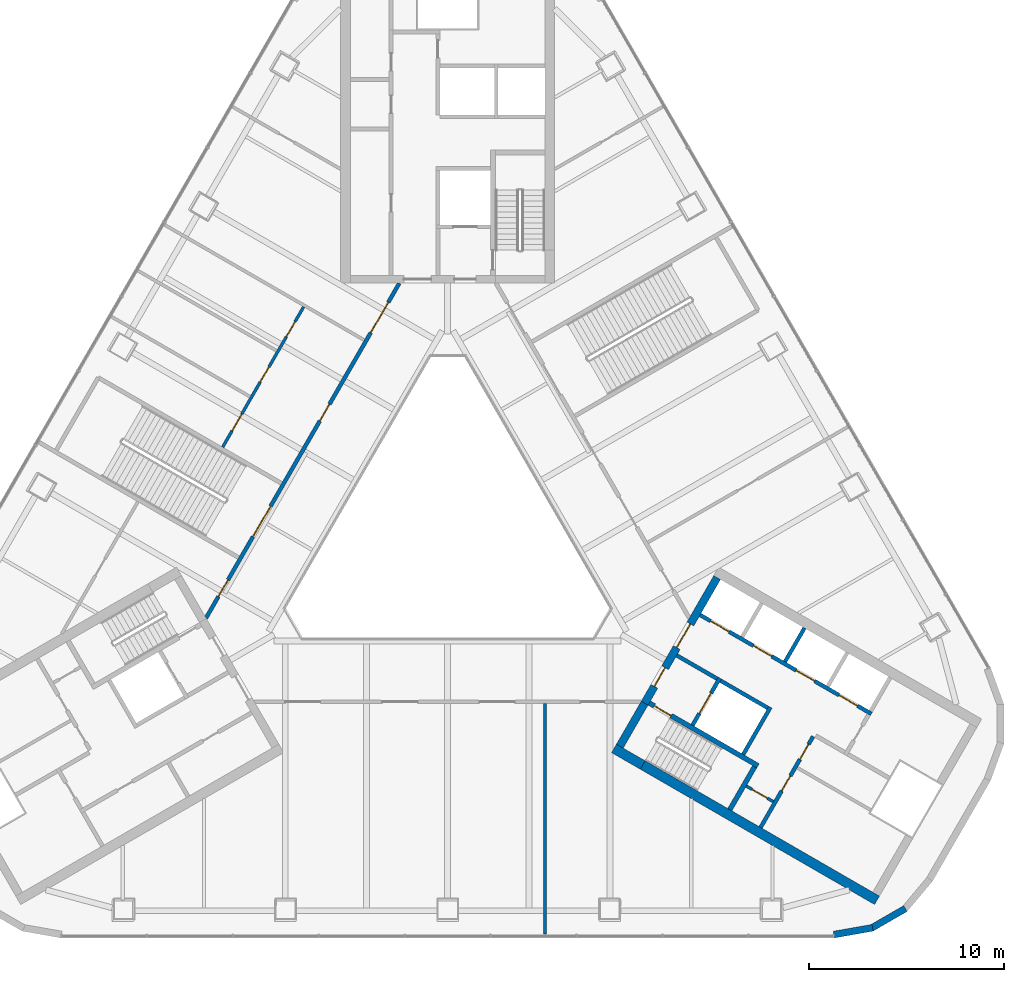
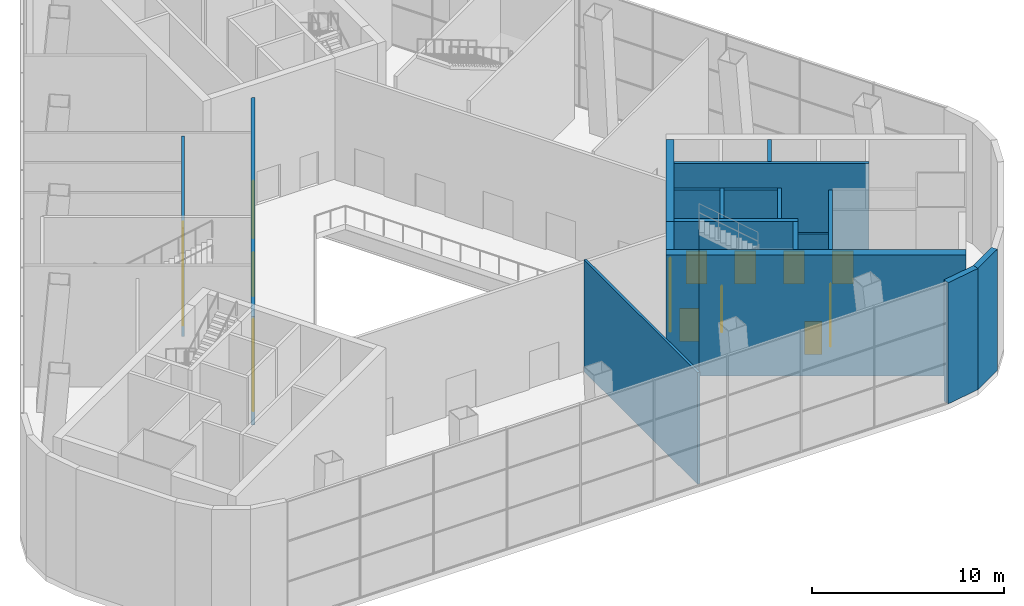
# One storey, part 10 of 16: 20 walls, 18 doors, 18 openings.
"""IFC4 building model written with IfcOpenShell, lengths in metres."""

from ifc_helpers import new_model, si_unit, direction, frame, frame_2d, origin, place, context, subcontext, project, spatial, rectangle, extrude, material, layer, layer_set, type_object, element, fill, save


model = new_model("IFC4")

# Units and contexts
model_context = context("Model", 3, precision=1e-05, world=origin(), true_north=direction((0.0, 1.0)))
body_context = subcontext(model_context, "Body", "Model", "MODEL_VIEW")
ifc_project = project(units=[si_unit("LENGTHUNIT", "METRE"), si_unit("AREAUNIT", "SQUARE_METRE"), si_unit("VOLUMEUNIT", "CUBIC_METRE"), si_unit("PLANEANGLEUNIT", "RADIAN"), si_unit("MASSUNIT", "GRAM", prefix="KILO")], contexts=[model_context])

# Site, building, storey
site_placement = place(None, origin())
site = spatial("IfcSite", under=ifc_project, at=site_placement, CompositionType="ELEMENT")
building_placement = place(site_placement, origin())
building = spatial("IfcBuilding", under=site, at=building_placement, Name="Apuvela Tower Hotel", CompositionType="ELEMENT")
storey_placement = place(building_placement, frame((0.0, 0.0, 15.5)))
storey = spatial("IfcBuildingStorey", under=building, at=storey_placement, Name="L02", CompositionType="ELEMENT", Elevation=15.5)

# Wall
ifc_material_1 = material(Name="Concrete C50/60", Category="concrete")
ifc_layer_1 = layer(ifc_material_1, 0.39990234375)
ifc_layer_set_1 = layer_set([ifc_layer_1], Name="COR-WALL-CORE-400")
wall_type_1 = type_object("IfcWallType", Name="COR-WALL-CORE-400", PredefinedType="SHEAR", material=ifc_layer_set_1)
wall_1_placement = place(storey_placement, frame((8.844970703125, -10.880126953125, 0.0), z_axis=(0.0, 0.0, 1.0), x_axis=(0.499990435942, 0.866030925526, 0.0)))
element("IfcWall", 1, at=wall_1_placement, inside=storey, type_object=wall_type_1, Name="Core wall SE", PredefinedType="SHEAR", context=body_context, shape_type="SweptSolid", body=[
    extrude(rectangle(XDim=2.5498046875, YDim=0.39990234375, at=frame_2d((1.27490234375, 0.0))), origin(), (0.0, 0.0, 1.0), 7.699951171875),
])

# Wall, openings, doors
wall_2_placement = place(storey_placement, frame((10.119873046875, -8.671875, 0.0), z_axis=(0.0, 0.0, 1.0), x_axis=(0.500008956979, 0.866020232408, 0.0)))
wall_2 = element("IfcWall", 2, at=wall_2_placement, inside=storey, type_object=wall_type_1, Name="Core wall SE", PredefinedType="SHEAR", context=body_context, shape_type="SweptSolid", body=[
    extrude(rectangle(XDim=7.449951171875, YDim=0.39990234375, at=frame_2d((3.72509765625, 0.0))), origin(), (0.0, 0.0, 1.0), 7.699951171875),
])
opening_1_placement = place(wall_2_placement, frame((1.0, 0.0, 0.0)))
opening_1 = element("IfcOpeningElement", 3, at=opening_1_placement, cuts=wall_2, Name="Opening E-FD", PredefinedType="OPENING", context=body_context, shape_type="SweptSolid", body=[
    extrude(rectangle(XDim=1.10009765625, YDim=2.10009765625, at=frame_2d((0.550048828125, 1.050048828125))), frame((0.0, 0.2099609375, 0.0), z_axis=(0.0, -1.0, 0.0), x_axis=(1.0, 0.0, 0.0)), (0.0, 0.0, 1.0), 0.419921875),
])
opening_2_placement = place(wall_2_placement, frame((3.300048828125, 0.0, 0.0)))
opening_2 = element("IfcOpeningElement", 4, at=opening_2_placement, cuts=wall_2, Name="Opening E-GD", PredefinedType="OPENING", context=body_context, shape_type="SweptSolid", body=[
    extrude(rectangle(XDim=1.39990234375, YDim=2.10009765625, at=frame_2d((0.699951171875, 1.050048828125))), frame((0.0, 0.2099609375, 0.0), z_axis=(0.0, -1.0, 0.0), x_axis=(1.0, 0.0, 0.0)), (0.0, 0.0, 1.0), 0.419921875),
])
ifc_material_2 = material(Name="Steel fire door, powder coated", Category="steel")
door_type_1 = type_object("IfcDoorType", Name="COR-FD-1100", OperationType="NOTDEFINED", PredefinedType="DOOR", material=ifc_material_2)
door_1_placement = place(opening_1_placement, frame((1.10009765625, 0.0, 0.0), z_axis=(0.0, 0.0, 1.0), x_axis=(-1.0, 0.0, 0.0)))
door_1 = element("IfcDoor", 5, at=door_1_placement, inside=storey, type_object=door_type_1, Name="Firefighting lobby door E-FD", OperationType="SINGLE_SWING_LEFT", OverallHeight=2.10009765625, OverallWidth=1.10009765625, PredefinedType="DOOR", context=body_context, shape_type="SweptSolid", body=[
    extrude(rectangle(XDim=1.10009765625, YDim=2.10009765625, at=frame_2d((0.550048828125, 1.050048828125))), frame((0.0, 0.02490234375, 0.0), z_axis=(0.0, -1.0, 0.0), x_axis=(1.0, 0.0, 0.0)), (0.0, 0.0, 1.0), 0.050048828125),
])
fill(opening_1, door_1)
ifc_material_3 = material(Name="Glazed steel fire door", Category="steel")
door_type_2 = type_object("IfcDoorType", Name="COR-GD-1400", OperationType="DOUBLE_DOOR_SINGLE_SWING", PredefinedType="DOOR", material=ifc_material_3)
door_2_placement = place(opening_2_placement, frame((1.39990234375, 0.0, 0.0), z_axis=(0.0, 0.0, 1.0), x_axis=(-1.0, 0.0, 0.0)))
door_2 = element("IfcDoor", 6, at=door_2_placement, inside=storey, type_object=door_type_2, Name="Lift lobby door E-GD", OperationType="DOUBLE_DOOR_SINGLE_SWING", OverallHeight=2.10009765625, OverallWidth=1.39990234375, PredefinedType="DOOR", context=body_context, shape_type="SweptSolid", body=[
    extrude(rectangle(XDim=1.39990234375, YDim=2.10009765625, at=frame_2d((0.699951171875, 1.050048828125))), frame((0.0, 0.02490234375, 0.0), z_axis=(0.0, -1.0, 0.0), x_axis=(1.0, 0.0, 0.0)), (0.0, 0.0, 1.0), 0.050048828125),
])
fill(opening_2, door_2)

# Walls
ifc_layer_2 = layer(ifc_material_1, 0.5)
ifc_layer_set_2 = layer_set([ifc_layer_2], Name="COR-WALL-CORE-500")
wall_type_2 = type_object("IfcWallType", Name="COR-WALL-CORE-500", PredefinedType="SHEAR", material=ifc_layer_set_2)
wall_3_placement = place(storey_placement, frame((8.546630859375, -10.99658203125, 0.0), z_axis=(0.0, 0.0, 1.0), x_axis=(0.866033076574, -0.499986710104, 0.0)))
element("IfcWall", 7, at=wall_3_placement, inside=storey, type_object=wall_type_2, Name="Core wall SE", PredefinedType="SHEAR", context=body_context, shape_type="SweptSolid", body=[
    extrude(rectangle(XDim=1.7060546875, YDim=0.5, at=frame_2d((0.85302734375, 0.0))), origin(), (0.0, 0.0, 1.0), 7.699951171875),
])
wall_4_placement = place(storey_placement, frame((10.024169921875, -11.849609375, 0.0), z_axis=(0.0, 0.0, 1.0), x_axis=(0.86602318214, -0.500003847982, 0.0)))
element("IfcWall", 8, at=wall_4_placement, inside=storey, type_object=wall_type_2, Name="Core wall SE", PredefinedType="SHEAR", context=body_context, shape_type="SweptSolid", body=[
    extrude(rectangle(XDim=13.89404296875, YDim=0.5, at=frame_2d((6.947021484375, 0.0))), origin(), (0.0, 0.0, 1.0), 7.699951171875),
])

# Wall, opening, door
ifc_material_4 = material(Name="Blockwork 150 mm plastered", Category="masonry")
ifc_layer_3 = layer(ifc_material_4, 0.14990234375)
ifc_layer_set_3 = layer_set([ifc_layer_3], Name="COR-WALL-PART-150")
wall_type_3 = type_object("IfcWallType", Name="COR-WALL-PART-150", PredefinedType="PARTITIONING", material=ifc_layer_set_3)
wall_5_placement = place(storey_placement, frame((15.341552734375, -12.927734375, 0.0), z_axis=(0.0, 0.0, 1.0), x_axis=(0.865989903783, -0.500061482766, 0.0)))
wall_5 = element("IfcWall", 9, at=wall_5_placement, inside=storey, type_object=wall_type_3, Name="Partition SE", PredefinedType="PARTITIONING", context=body_context, shape_type="SweptSolid", body=[
    extrude(rectangle(XDim=1.599853515625, YDim=0.14990234375, at=frame_2d((0.7998046875, 0.0))), origin(), (0.0, 0.0, 1.0), 7.699951171875),
])
opening_3_placement = place(wall_5_placement, frame((0.35009765625, 0.0, 0.0)))
opening_3 = element("IfcOpeningElement", 10, at=opening_3_placement, cuts=wall_5, Name="Opening E-RD", PredefinedType="OPENING", context=body_context, shape_type="SweptSolid", body=[
    extrude(rectangle(XDim=0.89990234375, YDim=2.10009765625, at=frame_2d((0.449951171875, 1.050048828125))), frame((0.0, 0.0849609375, 0.0), z_axis=(0.0, -1.0, 0.0), x_axis=(1.0, 0.0, 0.0)), (0.0, 0.0, 1.0), 0.169921875),
])
ifc_material_5 = material(Name="Steel access door, powder coated", Category="steel")
door_type_3 = type_object("IfcDoorType", Name="COR-RD-900", OperationType="NOTDEFINED", PredefinedType="DOOR", material=ifc_material_5)
door_3_placement = place(opening_3_placement, frame((0.89990234375, 0.0, 0.0), z_axis=(0.0, 0.0, 1.0), x_axis=(-1.0, 0.0, 0.0)))
door_3 = element("IfcDoor", 11, at=door_3_placement, inside=storey, type_object=door_type_3, Name="Riser door E-RD", OperationType="SINGLE_SWING_LEFT", OverallHeight=2.10009765625, OverallWidth=0.89990234375, PredefinedType="DOOR", context=body_context, shape_type="SweptSolid", body=[
    extrude(rectangle(XDim=0.89990234375, YDim=2.10009765625, at=frame_2d((0.449951171875, 1.050048828125))), frame((0.0, 0.02490234375, 0.0), z_axis=(0.0, -1.0, 0.0), x_axis=(1.0, 0.0, 0.0)), (0.0, 0.0, 1.0), 0.050048828125),
])
fill(opening_3, door_3)

# Wall, openings, doors
ifc_material_6 = material(Name="Blockwork 200 mm plastered", Category="masonry")
ifc_layer_4 = layer(ifc_material_6, 0.199951171875)
ifc_layer_set_4 = layer_set([ifc_layer_4], Name="COR-WALL-PART-200")
wall_type_4 = type_object("IfcWallType", Name="COR-WALL-PART-200", PredefinedType="PARTITIONING", material=ifc_layer_set_4)
wall_6_placement = place(storey_placement, frame((16.076171875, -15.05517578125, 0.0), z_axis=(0.0, 0.0, 1.0), x_axis=(0.499995103361, 0.866028230842, 0.0)))
wall_6 = element("IfcWall", 12, at=wall_6_placement, inside=storey, type_object=wall_type_4, Name="Partition SE", PredefinedType="PARTITIONING", context=body_context, shape_type="SweptSolid", body=[
    extrude(rectangle(XDim=5.39990234375, YDim=0.199951171875, at=frame_2d((2.699951171875, 0.0))), origin(), (0.0, 0.0, 1.0), 7.699951171875),
])
opening_4_placement = place(wall_6_placement, frame((2.16259765625, 0.0, 0.0)))
opening_4 = element("IfcOpeningElement", 13, at=opening_4_placement, cuts=wall_6, Name="Opening E-RS1", PredefinedType="OPENING", context=body_context, shape_type="SweptSolid", body=[
    extrude(rectangle(XDim=0.89990234375, YDim=2.10009765625, at=frame_2d((0.449951171875, 1.050048828125))), frame((0.0, 0.10986328125, 0.0), z_axis=(0.0, -1.0, 0.0), x_axis=(1.0, 0.0, 0.0)), (0.0, 0.0, 1.0), 0.219970703125),
])
opening_5_placement = place(wall_6_placement, frame((4.03759765625, 0.0, 0.0)))
opening_5 = element("IfcOpeningElement", 14, at=opening_5_placement, cuts=wall_6, Name="Opening E-RS2", PredefinedType="OPENING", context=body_context, shape_type="SweptSolid", body=[
    extrude(rectangle(XDim=0.89990234375, YDim=2.10009765625, at=frame_2d((0.449951171875, 1.050048828125))), frame((0.0, 0.10986328125, 0.0), z_axis=(0.0, -1.0, 0.0), x_axis=(1.0, 0.0, 0.0)), (0.0, 0.0, 1.0), 0.219970703125),
])
door_type_4 = type_object("IfcDoorType", Name="COR-DR-900", OperationType="NOTDEFINED", PredefinedType="DOOR", material=ifc_material_2)
door_4_placement = place(opening_4_placement, frame((0.89990234375, 0.0, 0.0), z_axis=(0.0, 0.0, 1.0), x_axis=(-1.0, 0.0, 0.0)))
door_4 = element("IfcDoor", 15, at=door_4_placement, inside=storey, type_object=door_type_4, Name="Store door E-RS1", OperationType="SINGLE_SWING_LEFT", OverallHeight=2.10009765625, OverallWidth=0.89990234375, PredefinedType="DOOR", context=body_context, shape_type="SweptSolid", body=[
    extrude(rectangle(XDim=0.89990234375, YDim=2.10009765625, at=frame_2d((0.449951171875, 1.050048828125))), frame((0.0, 0.02490234375, 0.0), z_axis=(0.0, -1.0, 0.0), x_axis=(1.0, 0.0, 0.0)), (0.0, 0.0, 1.0), 0.050048828125),
])
fill(opening_4, door_4)
door_5_placement = place(opening_5_placement, frame((0.89990234375, 0.0, 0.0), z_axis=(0.0, 0.0, 1.0), x_axis=(-1.0, 0.0, 0.0)))
door_5 = element("IfcDoor", 16, at=door_5_placement, inside=storey, type_object=door_type_4, Name="Store door E-RS2", OperationType="SINGLE_SWING_LEFT", OverallHeight=2.10009765625, OverallWidth=0.89990234375, PredefinedType="DOOR", context=body_context, shape_type="SweptSolid", body=[
    extrude(rectangle(XDim=0.89990234375, YDim=2.10009765625, at=frame_2d((0.449951171875, 1.050048828125))), frame((0.0, 0.02490234375, 0.0), z_axis=(0.0, -1.0, 0.0), x_axis=(1.0, 0.0, 0.0)), (0.0, 0.0, 1.0), 0.050048828125),
])
fill(opening_5, door_5)

# Wall
ifc_layer_5 = layer(ifc_material_1, 0.199951171875)
ifc_layer_set_5 = layer_set([ifc_layer_5], Name="COR-WALL-SHAFT-200")
wall_type_5 = type_object("IfcWallType", Name="COR-WALL-SHAFT-200", PredefinedType="SHEAR", material=ifc_layer_set_5)
wall_7_placement = place(storey_placement, frame((15.181396484375, -11.305419921875, 0.0), z_axis=(0.0, 0.0, 1.0), x_axis=(0.49994636267, 0.866056369097, 0.0)))
element("IfcWall", 17, at=wall_7_placement, inside=storey, type_object=wall_type_5, Name="Shaft wall SE", PredefinedType="SHEAR", context=body_context, shape_type="SweptSolid", body=[
    extrude(rectangle(XDim=2.800048828125, YDim=0.199951171875, at=frame_2d((1.39990234375, 0.0))), origin(), (0.0, 0.0, 1.0), 7.699951171875),
])

# Wall, opening, door
wall_8_placement = place(storey_placement, frame((12.583251953125, -9.805419921875, 0.0), z_axis=(0.0, 0.0, 1.0), x_axis=(0.49994636267, 0.866056369097, 0.0)))
wall_8 = element("IfcWall", 18, at=wall_8_placement, inside=storey, type_object=wall_type_5, Name="Shaft wall SE", PredefinedType="SHEAR", context=body_context, shape_type="SweptSolid", body=[
    extrude(rectangle(XDim=2.800048828125, YDim=0.199951171875, at=frame_2d((1.39990234375, 0.0))), origin(), (0.0, 0.0, 1.0), 7.699951171875),
])
opening_6_placement = place(wall_8_placement, frame((0.699951171875, 0.0, 0.0)))
opening_6 = element("IfcOpeningElement", 19, at=opening_6_placement, cuts=wall_8, Name="Opening E-LD-FS3", PredefinedType="OPENING", context=body_context, shape_type="SweptSolid", body=[
    extrude(rectangle(XDim=1.199951171875, YDim=2.10009765625, at=frame_2d((0.60009765625, 1.050048828125))), frame((0.0, 0.10986328125, 0.0), z_axis=(0.0, -1.0, 0.0), x_axis=(1.0, 0.0, 0.0)), (0.0, 0.0, 1.0), 0.219970703125),
])
ifc_material_7 = material(Name="Stainless steel lift landing door", Category="steel")
door_type_5 = type_object("IfcDoorType", Name="COR-LD-1200", OperationType="DOUBLE_DOOR_SLIDING", PredefinedType="DOOR", material=ifc_material_7)
door_6_placement = place(opening_6_placement, origin())
door_6 = element("IfcDoor", 20, at=door_6_placement, inside=storey, type_object=door_type_5, Name="Lift landing door E-LD-FS3", OperationType="DOUBLE_DOOR_SLIDING", OverallHeight=2.10009765625, OverallWidth=1.199951171875, PredefinedType="DOOR", context=body_context, shape_type="SweptSolid", body=[
    extrude(rectangle(XDim=1.199951171875, YDim=2.10009765625, at=frame_2d((0.60009765625, 1.050048828125))), frame((0.0, 0.02490234375, 0.0), z_axis=(0.0, -1.0, 0.0), x_axis=(1.0, 0.0, 0.0)), (0.0, 0.0, 1.0), 0.050048828125),
])
fill(opening_6, door_6)

# Walls
wall_9_placement = place(storey_placement, frame((11.76806640625, -6.217041015625, 0.0), z_axis=(0.0, 0.0, 1.0), x_axis=(0.866050077142, -0.499957262057, 0.0)))
element("IfcWall", 21, at=wall_9_placement, inside=storey, type_object=wall_type_5, Name="Shaft wall SE", PredefinedType="SHEAR", context=body_context, shape_type="SweptSolid", body=[
    extrude(rectangle(XDim=2.400146484375, YDim=0.199951171875, at=frame_2d((1.2001953125, 0.0))), origin(), (0.0, 0.0, 1.0), 7.699951171875),
])
wall_10_placement = place(storey_placement, frame((14.019775390625, -7.51708984375, 0.0), z_axis=(0.0, 0.0, 1.0), x_axis=(0.866034573852, -0.49998411664, 0.0)))
element("IfcWall", 22, at=wall_10_placement, inside=storey, type_object=wall_type_5, Name="Shaft wall SE", PredefinedType="SHEAR", context=body_context, shape_type="SweptSolid", body=[
    extrude(rectangle(XDim=2.7998046875, YDim=0.199951171875, at=frame_2d((1.39990234375, 0.0))), origin(), (0.0, 0.0, 1.0), 7.699951171875),
])

# Wall, openings, doors
wall_11_placement = place(storey_placement, frame((12.968017578125, -4.138427734375, 0.0), z_axis=(0.0, 0.0, 1.0), x_axis=(0.866028328073, -0.49999493495, 0.0)))
wall_11 = element("IfcWall", 23, at=wall_11_placement, inside=storey, type_object=wall_type_5, Name="Shaft wall SE", PredefinedType="SHEAR", context=body_context, shape_type="SweptSolid", body=[
    extrude(rectangle(XDim=10.16015625, YDim=0.199951171875, at=frame_2d((5.080078125, 0.0))), origin(), (0.0, 0.0, 1.0), 7.699951171875),
])
opening_7_placement = place(wall_11_placement, frame((0.6201171875, 0.0, 0.0)))
opening_7 = element("IfcOpeningElement", 24, at=opening_7_placement, cuts=wall_11, Name="Opening E-LD-LR1", PredefinedType="OPENING", context=body_context, shape_type="SweptSolid", body=[
    extrude(rectangle(XDim=1.10009765625, YDim=2.10009765625, at=frame_2d((0.550048828125, 1.050048828125))), frame((0.0, 0.10986328125, 0.0), z_axis=(0.0, -1.0, 0.0), x_axis=(1.0, 0.0, 0.0)), (0.0, 0.0, 1.0), 0.219970703125),
])
opening_8_placement = place(wall_11_placement, frame((3.159912109375, 0.0, 0.0)))
opening_8 = element("IfcOpeningElement", 25, at=opening_8_placement, cuts=wall_11, Name="Opening E-LD-LR2", PredefinedType="OPENING", context=body_context, shape_type="SweptSolid", body=[
    extrude(rectangle(XDim=1.10009765625, YDim=2.10009765625, at=frame_2d((0.550048828125, 1.050048828125))), frame((0.0, 0.10986328125, 0.0), z_axis=(0.0, -1.0, 0.0), x_axis=(1.0, 0.0, 0.0)), (0.0, 0.0, 1.0), 0.219970703125),
])
opening_9_placement = place(wall_11_placement, frame((5.699951171875, 0.0, 0.0)))
opening_9 = element("IfcOpeningElement", 26, at=opening_9_placement, cuts=wall_11, Name="Opening E-LD-LR3", PredefinedType="OPENING", context=body_context, shape_type="SweptSolid", body=[
    extrude(rectangle(XDim=1.10009765625, YDim=2.10009765625, at=frame_2d((0.550048828125, 1.050048828125))), frame((0.0, 0.10986328125, 0.0), z_axis=(0.0, -1.0, 0.0), x_axis=(1.0, 0.0, 0.0)), (0.0, 0.0, 1.0), 0.219970703125),
])
opening_10_placement = place(wall_11_placement, frame((8.239990234375, 0.0, 0.0)))
opening_10 = element("IfcOpeningElement", 27, at=opening_10_placement, cuts=wall_11, Name="Opening E-LD-LR4", PredefinedType="OPENING", context=body_context, shape_type="SweptSolid", body=[
    extrude(rectangle(XDim=1.10009765625, YDim=2.10009765625, at=frame_2d((0.550048828125, 1.050048828125))), frame((0.0, 0.10986328125, 0.0), z_axis=(0.0, -1.0, 0.0), x_axis=(1.0, 0.0, 0.0)), (0.0, 0.0, 1.0), 0.219970703125),
])
door_type_6 = type_object("IfcDoorType", Name="COR-LD-1100", OperationType="DOUBLE_DOOR_SLIDING", PredefinedType="DOOR", material=ifc_material_7)
door_7_placement = place(opening_7_placement, origin())
door_7 = element("IfcDoor", 28, at=door_7_placement, inside=storey, type_object=door_type_6, Name="Lift landing door E-LD-LR1", OperationType="DOUBLE_DOOR_SLIDING", OverallHeight=2.10009765625, OverallWidth=1.10009765625, PredefinedType="DOOR", context=body_context, shape_type="SweptSolid", body=[
    extrude(rectangle(XDim=1.10009765625, YDim=2.10009765625, at=frame_2d((0.550048828125, 1.050048828125))), frame((0.0, 0.02490234375, 0.0), z_axis=(0.0, -1.0, 0.0), x_axis=(1.0, 0.0, 0.0)), (0.0, 0.0, 1.0), 0.050048828125),
])
fill(opening_7, door_7)
door_8_placement = place(opening_8_placement, origin())
door_8 = element("IfcDoor", 29, at=door_8_placement, inside=storey, type_object=door_type_6, Name="Lift landing door E-LD-LR2", OperationType="DOUBLE_DOOR_SLIDING", OverallHeight=2.10009765625, OverallWidth=1.10009765625, PredefinedType="DOOR", context=body_context, shape_type="SweptSolid", body=[
    extrude(rectangle(XDim=1.10009765625, YDim=2.10009765625, at=frame_2d((0.550048828125, 1.050048828125))), frame((0.0, 0.02490234375, 0.0), z_axis=(0.0, -1.0, 0.0), x_axis=(1.0, 0.0, 0.0)), (0.0, 0.0, 1.0), 0.050048828125),
])
fill(opening_8, door_8)
door_9_placement = place(opening_9_placement, origin())
door_9 = element("IfcDoor", 30, at=door_9_placement, inside=storey, type_object=door_type_6, Name="Lift landing door E-LD-LR3", OperationType="DOUBLE_DOOR_SLIDING", OverallHeight=2.10009765625, OverallWidth=1.10009765625, PredefinedType="DOOR", context=body_context, shape_type="SweptSolid", body=[
    extrude(rectangle(XDim=1.10009765625, YDim=2.10009765625, at=frame_2d((0.550048828125, 1.050048828125))), frame((0.0, 0.02490234375, 0.0), z_axis=(0.0, -1.0, 0.0), x_axis=(1.0, 0.0, 0.0)), (0.0, 0.0, 1.0), 0.050048828125),
])
fill(opening_9, door_9)
door_10_placement = place(opening_10_placement, origin())
door_10 = element("IfcDoor", 31, at=door_10_placement, inside=storey, type_object=door_type_6, Name="Lift landing door E-LD-LR4", OperationType="DOUBLE_DOOR_SLIDING", OverallHeight=2.10009765625, OverallWidth=1.10009765625, PredefinedType="DOOR", context=body_context, shape_type="SweptSolid", body=[
    extrude(rectangle(XDim=1.10009765625, YDim=2.10009765625, at=frame_2d((0.550048828125, 1.050048828125))), frame((0.0, 0.02490234375, 0.0), z_axis=(0.0, -1.0, 0.0), x_axis=(1.0, 0.0, 0.0)), (0.0, 0.0, 1.0), 0.050048828125),
])
fill(opening_10, door_10)

# Walls
wall_12_placement = place(storey_placement, frame((17.330810546875, -6.5419921875, 0.0), z_axis=(0.0, 0.0, 1.0), x_axis=(0.499972520799, 0.866041268327, 0.0)))
element("IfcWall", 32, at=wall_12_placement, inside=storey, type_object=wall_type_5, Name="Shaft wall SE", PredefinedType="SHEAR", context=body_context, shape_type="SweptSolid", body=[
    extrude(rectangle(XDim=2.0, YDim=0.199951171875, at=frame_2d((1.0, 0.0))), origin(), (0.0, 0.0, 1.0), 7.699951171875),
])
ifc_layer_6 = layer(ifc_material_1, 0.25)
ifc_layer_set_6 = layer_set([ifc_layer_6], Name="COR-WALL-STAIR-250")
wall_type_6 = type_object("IfcWallType", Name="COR-WALL-STAIR-250", PredefinedType="SHEAR", material=ifc_layer_set_6)
wall_13_placement = place(storey_placement, frame((14.49560546875, -14.142578125, 0.0), z_axis=(0.0, 0.0, 1.0), x_axis=(0.500062241894, 0.865989465428, 0.0)))
element("IfcWall", 33, at=wall_13_placement, inside=storey, type_object=wall_type_6, Name="Stair wall SE", PredefinedType="SHEAR", context=body_context, shape_type="SweptSolid", body=[
    extrude(rectangle(XDim=2.550048828125, YDim=0.25, at=frame_2d((1.27490234375, 0.0))), origin(), (0.0, 0.0, 1.0), 7.699951171875),
])

# Wall, opening, door
wall_14_placement = place(storey_placement, frame((10.355712890625, -8.66357421875, 0.0), z_axis=(0.0, 0.0, 1.0), x_axis=(0.866095317631, -0.499878886109, 0.0)))
wall_14 = element("IfcWall", 34, at=wall_14_placement, inside=storey, type_object=wall_type_6, Name="Stair wall SE", PredefinedType="SHEAR", context=body_context, shape_type="SweptSolid", body=[
    extrude(rectangle(XDim=1.305908203125, YDim=0.25, at=frame_2d((0.65283203125, 0.0))), origin(), (0.0, 0.0, 1.0), 7.699951171875),
])
opening_11_placement = place(wall_14_placement, frame((0.300048828125, 0.0, 0.0)))
opening_11 = element("IfcOpeningElement", 35, at=opening_11_placement, cuts=wall_14, Name="Opening E-SD", PredefinedType="OPENING", context=body_context, shape_type="SweptSolid", body=[
    extrude(rectangle(XDim=1.0, YDim=2.10009765625, at=frame_2d((0.5, 1.050048828125))), frame((0.0, 0.135009765625, 0.0), z_axis=(0.0, -1.0, 0.0), x_axis=(1.0, 0.0, 0.0)), (0.0, 0.0, 1.0), 0.27001953125),
])
door_type_7 = type_object("IfcDoorType", Name="COR-SD-1000", OperationType="NOTDEFINED", PredefinedType="DOOR", material=ifc_material_2)
door_11_placement = place(opening_11_placement, frame((1.0, 0.0, 0.0), z_axis=(0.0, 0.0, 1.0), x_axis=(-1.0, 0.0, 0.0)))
door_11 = element("IfcDoor", 36, at=door_11_placement, inside=storey, type_object=door_type_7, Name="Stair door E-SD", OperationType="SINGLE_SWING_LEFT", OverallHeight=2.10009765625, OverallWidth=1.0, PredefinedType="DOOR", context=body_context, shape_type="SweptSolid", body=[
    extrude(rectangle(XDim=1.0, YDim=2.10009765625, at=frame_2d((0.5, 1.050048828125))), frame((0.0, 0.02490234375, 0.0), z_axis=(0.0, -1.0, 0.0), x_axis=(1.0, 0.0, 0.0)), (0.0, 0.0, 1.0), 0.050048828125),
])
fill(opening_11, door_11)

# Walls
wall_15_placement = place(storey_placement, frame((11.48681640625, -9.31640625, 0.0), z_axis=(0.0, 0.0, 1.0), x_axis=(0.866011695431, -0.500023742813, 0.0)))
element("IfcWall", 37, at=wall_15_placement, inside=storey, type_object=wall_type_6, Name="Stair wall SE", PredefinedType="SHEAR", context=body_context, shape_type="SweptSolid", body=[
    extrude(rectangle(XDim=5.143798828125, YDim=0.25, at=frame_2d((2.57177734375, 0.0))), origin(), (0.0, 0.0, 1.0), 7.699951171875),
])
ifc_material_8 = material(Name="Concrete C40/50, dark pigmented precast panel", Category="concrete")
ifc_layer_7 = layer(ifc_material_8, 0.35009765625)
ifc_layer_set_7 = layer_set([ifc_layer_7], Name="ENV-WALL-350")
wall_type_7 = type_object("IfcWallType", Name="ENV-WALL-350", PredefinedType="SOLIDWALL", material=ifc_layer_set_7)
wall_16_placement = place(storey_placement, frame((19.841064453125, -20.55908203125, 0.0), z_axis=(0.0, 0.0, 1.0), x_axis=(0.984806696933, 0.173654166884, 0.0)))
element("IfcWall", 38, at=wall_16_placement, inside=storey, type_object=wall_type_7, Name="External wall L02-16", PredefinedType="SOLIDWALL", context=body_context, shape_type="SweptSolid", body=[
    extrude(rectangle(XDim=2.017578125, YDim=0.35009765625, at=frame_2d((1.0087890625, 0.0))), origin(), (0.0, 0.0, 1.0), 7.699951171875),
])
wall_17_placement = place(storey_placement, frame((21.770751953125, -20.2294921875, 0.0), z_axis=(0.0, 0.0, 1.0), x_axis=(0.866022320763, 0.500005339912, 0.0)))
element("IfcWall", 39, at=wall_17_placement, inside=storey, type_object=wall_type_7, Name="External wall L02-17", PredefinedType="SOLIDWALL", context=body_context, shape_type="SweptSolid", body=[
    extrude(rectangle(XDim=2.01708984375, YDim=0.35009765625, at=frame_2d((1.008544921875, 0.0))), origin(), (0.0, 0.0, 1.0), 7.699951171875),
])

# Wall, openings, doors
ifc_material_9 = material(Name="Fire-rated gypsum board partition on steel stud", Category="steel")
ifc_layer_8 = layer(ifc_material_9, 0.199951171875)
ifc_layer_set_8 = layer_set([ifc_layer_8], Name="SPC-WALL-CORRIDOR")
wall_type_8 = type_object("IfcWallType", Name="SPC-WALL-CORRIDOR", PredefinedType="PARTITIONING", material=ifc_layer_set_8)
wall_18_placement = place(storey_placement, frame((-2.482421875, 12.900146484375, 0.0), z_axis=(0.0, 0.0, 1.0), x_axis=(-0.50000478328, -0.866022642139, 0.0)))
wall_18 = element("IfcWall", 40, at=wall_18_placement, inside=storey, type_object=wall_type_8, Name="Wall L02-NW-CW", PredefinedType="PARTITIONING", context=body_context, shape_type="SweptSolid", body=[
    extrude(rectangle(XDim=19.861083984375, YDim=0.199951171875, at=frame_2d((9.9306640625, 0.0))), origin(), (0.0, 0.0, 1.0), 6.909912109375),
])
opening_12_placement = place(wall_18_placement, frame((13.23046875, 0.0, 0.0)))
opening_12 = element("IfcOpeningElement", 41, at=opening_12_placement, cuts=wall_18, Name="Opening L02-S08", PredefinedType="OPENING", context=body_context, shape_type="SweptSolid", body=[
    extrude(rectangle(XDim=1.800048828125, YDim=2.10009765625, at=frame_2d((0.89990234375, 1.050048828125))), frame((0.0, 0.10986328125, 0.0), z_axis=(0.0, -1.0, 0.0), x_axis=(1.0, 0.0, 0.0)), (0.0, 0.0, 1.0), 0.219970703125),
])
opening_13_placement = place(wall_18_placement, frame((1.133544921875, 0.0, 0.0)))
opening_13 = element("IfcOpeningElement", 42, at=opening_13_placement, cuts=wall_18, Name="Opening L02-S13", PredefinedType="OPENING", context=body_context, shape_type="SweptSolid", body=[
    extrude(rectangle(XDim=1.800048828125, YDim=2.39990234375, at=frame_2d((0.89990234375, 1.199951171875))), frame((0.0, 0.10986328125, 0.0), z_axis=(0.0, -1.0, 0.0), x_axis=(1.0, 0.0, 0.0)), (0.0, 0.0, 1.0), 0.219970703125),
])
opening_14_placement = place(wall_18_placement, frame((17.590087890625, 0.0, 0.0)))
opening_14 = element("IfcOpeningElement", 43, at=opening_14_placement, cuts=wall_18, Name="Opening L02-S15", PredefinedType="OPENING", context=body_context, shape_type="SweptSolid", body=[
    extrude(rectangle(XDim=1.0, YDim=2.10009765625, at=frame_2d((0.5, 1.050048828125))), frame((0.0, 0.10986328125, 0.0), z_axis=(0.0, -1.0, 0.0), x_axis=(1.0, 0.0, 0.0)), (0.0, 0.0, 1.0), 0.219970703125),
])
opening_15_placement = place(wall_18_placement, frame((7.16796875, 0.0, 0.0)))
opening_15 = element("IfcOpeningElement", 44, at=opening_15_placement, cuts=wall_18, Name="Opening L02-S18", PredefinedType="OPENING", context=body_context, shape_type="SweptSolid", body=[
    extrude(rectangle(XDim=1.0, YDim=2.10009765625, at=frame_2d((0.5, 1.050048828125))), frame((0.0, 0.10986328125, 0.0), z_axis=(0.0, -1.0, 0.0), x_axis=(1.0, 0.0, 0.0)), (0.0, 0.0, 1.0), 0.219970703125),
])
ifc_material_10 = material(Name="Fire-rated hardwood veneer door leaf", Category="wood")
door_type_8 = type_object("IfcDoorType", Name="SPC-DOOR-1000-FD", OperationType="NOTDEFINED", PredefinedType="DOOR", material=ifc_material_10)
door_12_placement = place(opening_14_placement, frame((1.0, 0.0, 0.0), z_axis=(0.0, 0.0, 1.0), x_axis=(-1.0, 0.0, 0.0)))
door_12 = element("IfcDoor", 45, at=door_12_placement, inside=storey, type_object=door_type_8, Name="L02-S15", OperationType="SINGLE_SWING_RIGHT", OverallHeight=2.10009765625, OverallWidth=1.0, PredefinedType="DOOR", context=body_context, shape_type="SweptSolid", body=[
    extrude(rectangle(XDim=1.0, YDim=2.10009765625, at=frame_2d((0.5, 1.050048828125))), frame((0.0, 0.02490234375, 0.0), z_axis=(0.0, -1.0, 0.0), x_axis=(1.0, 0.0, 0.0)), (0.0, 0.0, 1.0), 0.050048828125),
])
fill(opening_14, door_12)
door_13_placement = place(opening_15_placement, frame((1.0, 0.0, 0.0), z_axis=(0.0, 0.0, 1.0), x_axis=(-1.0, 0.0, 0.0)))
door_13 = element("IfcDoor", 46, at=door_13_placement, inside=storey, type_object=door_type_8, Name="L02-S18", OperationType="SINGLE_SWING_RIGHT", OverallHeight=2.10009765625, OverallWidth=1.0, PredefinedType="DOOR", context=body_context, shape_type="SweptSolid", body=[
    extrude(rectangle(XDim=1.0, YDim=2.10009765625, at=frame_2d((0.5, 1.050048828125))), frame((0.0, 0.02490234375, 0.0), z_axis=(0.0, -1.0, 0.0), x_axis=(1.0, 0.0, 0.0)), (0.0, 0.0, 1.0), 0.050048828125),
])
fill(opening_15, door_13)
door_type_9 = type_object("IfcDoorType", Name="SPC-DOOR-1800-FD", OperationType="NOTDEFINED", PredefinedType="DOOR", material=ifc_material_10)
door_14_placement = place(opening_13_placement, origin())
door_14 = element("IfcDoor", 47, at=door_14_placement, inside=storey, type_object=door_type_9, Name="L02-S13", OperationType="DOUBLE_DOOR_SINGLE_SWING", OverallHeight=2.39990234375, OverallWidth=1.800048828125, PredefinedType="DOOR", context=body_context, shape_type="SweptSolid", body=[
    extrude(rectangle(XDim=1.800048828125, YDim=2.39990234375, at=frame_2d((0.89990234375, 1.199951171875))), frame((0.0, 0.02490234375, 0.0), z_axis=(0.0, -1.0, 0.0), x_axis=(1.0, 0.0, 0.0)), (0.0, 0.0, 1.0), 0.050048828125),
])
fill(opening_13, door_14)
ifc_material_11 = material(Name="Steel fire door leaf", Category="steel")
door_type_10 = type_object("IfcDoorType", Name="SPC-DOOR-1800-STAIR", OperationType="NOTDEFINED", PredefinedType="DOOR", material=ifc_material_11)
door_15_placement = place(opening_12_placement, frame((1.800048828125, 0.0, 0.0), z_axis=(0.0, 0.0, 1.0), x_axis=(-1.0, 0.0, 0.0)))
door_15 = element("IfcDoor", 48, at=door_15_placement, inside=storey, type_object=door_type_10, Name="L02-S08", OperationType="DOUBLE_DOOR_SINGLE_SWING", OverallHeight=2.10009765625, OverallWidth=1.800048828125, PredefinedType="DOOR", context=body_context, shape_type="SweptSolid", body=[
    extrude(rectangle(XDim=1.800048828125, YDim=2.10009765625, at=frame_2d((0.89990234375, 1.050048828125))), frame((0.0, 0.02490234375, 0.0), z_axis=(0.0, -1.0, 0.0), x_axis=(1.0, 0.0, 0.0)), (0.0, 0.0, 1.0), 0.050048828125),
])
fill(opening_12, door_15)

# Wall
ifc_material_12 = material(Name="Gypsum board partition on steel stud", Category="steel")
ifc_layer_9 = layer(ifc_material_12, 0.14990234375)
ifc_layer_set_9 = layer_set([ifc_layer_9], Name="SPC-WALL-PARTITION")
wall_type_9 = type_object("IfcWallType", Name="SPC-WALL-PARTITION", PredefinedType="PARTITIONING", material=ifc_layer_set_9)
wall_19_placement = place(storey_placement, frame((5.0, -20.531494140625, 0.0), z_axis=(0.0, 0.0, 1.0), x_axis=(0.0, 1.0, 0.0)))
element("IfcWall", 49, at=wall_19_placement, inside=storey, type_object=wall_type_9, Name="Wall L02-S-P01", PredefinedType="PARTITIONING", context=body_context, shape_type="SweptSolid", body=[
    extrude(rectangle(XDim=11.83154296875, YDim=0.14990234375, at=frame_2d((5.915771484375, 0.0))), origin(), (0.0, 0.0, 1.0), 7.10009765625),
])

# Wall, openings, doors
wall_20_placement = place(storey_placement, frame((-7.395751953125, 11.68896484375, 0.0), z_axis=(0.0, 0.0, 1.0), x_axis=(-0.500005920892, -0.866021985329, 0.0)))
wall_20 = element("IfcWall", 50, at=wall_20_placement, inside=storey, type_object=wall_type_9, Name="Wall L02-NW-P03", PredefinedType="PARTITIONING", context=body_context, shape_type="SweptSolid", body=[
    extrude(rectangle(XDim=8.3251953125, YDim=0.14990234375, at=frame_2d((4.16259765625, 0.0))), origin(), (0.0, 0.0, 1.0), 6.909912109375),
])
opening_16_placement = place(wall_20_placement, frame((6.3544921875, 0.0, 0.0)))
opening_16 = element("IfcOpeningElement", 51, at=opening_16_placement, cuts=wall_20, Name="Opening L02-S17", PredefinedType="OPENING", context=body_context, shape_type="SweptSolid", body=[
    extrude(rectangle(XDim=1.0, YDim=2.10009765625, at=frame_2d((0.5, 1.050048828125))), frame((0.0, 0.0849609375, 0.0), z_axis=(0.0, -1.0, 0.0), x_axis=(1.0, 0.0, 0.0)), (0.0, 0.0, 1.0), 0.169921875),
])
opening_17_placement = place(wall_20_placement, frame((3.5625, 0.0, 0.0)))
opening_17 = element("IfcOpeningElement", 52, at=opening_17_placement, cuts=wall_20, Name="Opening L02-S19", PredefinedType="OPENING", context=body_context, shape_type="SweptSolid", body=[
    extrude(rectangle(XDim=0.89990234375, YDim=2.10009765625, at=frame_2d((0.449951171875, 1.050048828125))), frame((0.0, 0.0849609375, 0.0), z_axis=(0.0, -1.0, 0.0), x_axis=(1.0, 0.0, 0.0)), (0.0, 0.0, 1.0), 0.169921875),
])
opening_18_placement = place(wall_20_placement, frame((0.87060546875, 0.0, 0.0)))
opening_18 = element("IfcOpeningElement", 53, at=opening_18_placement, cuts=wall_20, Name="Opening L02-S20", PredefinedType="OPENING", context=body_context, shape_type="SweptSolid", body=[
    extrude(rectangle(XDim=0.89990234375, YDim=2.10009765625, at=frame_2d((0.449951171875, 1.050048828125))), frame((0.0, 0.0849609375, 0.0), z_axis=(0.0, -1.0, 0.0), x_axis=(1.0, 0.0, 0.0)), (0.0, 0.0, 1.0), 0.169921875),
])
ifc_material_13 = material(Name="Hardwood veneer door leaf", Category="wood")
door_type_11 = type_object("IfcDoorType", Name="SPC-DOOR-1000", OperationType="NOTDEFINED", PredefinedType="DOOR", material=ifc_material_13)
door_16_placement = place(opening_16_placement, frame((1.0, 0.0, 0.0), z_axis=(0.0, 0.0, 1.0), x_axis=(-1.0, 0.0, 0.0)))
door_16 = element("IfcDoor", 54, at=door_16_placement, inside=storey, type_object=door_type_11, Name="L02-S17", OperationType="SINGLE_SWING_LEFT", OverallHeight=2.10009765625, OverallWidth=1.0, PredefinedType="DOOR", context=body_context, shape_type="SweptSolid", body=[
    extrude(rectangle(XDim=1.0, YDim=2.10009765625, at=frame_2d((0.5, 1.050048828125))), frame((0.0, 0.02490234375, 0.0), z_axis=(0.0, -1.0, 0.0), x_axis=(1.0, 0.0, 0.0)), (0.0, 0.0, 1.0), 0.050048828125),
])
fill(opening_16, door_16)
door_type_12 = type_object("IfcDoorType", Name="SPC-DOOR-900", OperationType="NOTDEFINED", PredefinedType="DOOR", material=ifc_material_13)
door_17_placement = place(opening_17_placement, frame((0.89990234375, 0.0, 0.0), z_axis=(0.0, 0.0, 1.0), x_axis=(-1.0, 0.0, 0.0)))
door_17 = element("IfcDoor", 55, at=door_17_placement, inside=storey, type_object=door_type_12, Name="L02-S19", OperationType="SINGLE_SWING_LEFT", OverallHeight=2.10009765625, OverallWidth=0.89990234375, PredefinedType="DOOR", context=body_context, shape_type="SweptSolid", body=[
    extrude(rectangle(XDim=0.89990234375, YDim=2.10009765625, at=frame_2d((0.449951171875, 1.050048828125))), frame((0.0, 0.02490234375, 0.0), z_axis=(0.0, -1.0, 0.0), x_axis=(1.0, 0.0, 0.0)), (0.0, 0.0, 1.0), 0.050048828125),
])
fill(opening_17, door_17)
door_18_placement = place(opening_18_placement, frame((0.89990234375, 0.0, 0.0), z_axis=(0.0, 0.0, 1.0), x_axis=(-1.0, 0.0, 0.0)))
door_18 = element("IfcDoor", 56, at=door_18_placement, inside=storey, type_object=door_type_12, Name="L02-S20", OperationType="SINGLE_SWING_RIGHT", OverallHeight=2.10009765625, OverallWidth=0.89990234375, PredefinedType="DOOR", context=body_context, shape_type="SweptSolid", body=[
    extrude(rectangle(XDim=0.89990234375, YDim=2.10009765625, at=frame_2d((0.449951171875, 1.050048828125))), frame((0.0, 0.02490234375, 0.0), z_axis=(0.0, -1.0, 0.0), x_axis=(1.0, 0.0, 0.0)), (0.0, 0.0, 1.0), 0.050048828125),
])
fill(opening_18, door_18)

save(model, "model.ifc")
